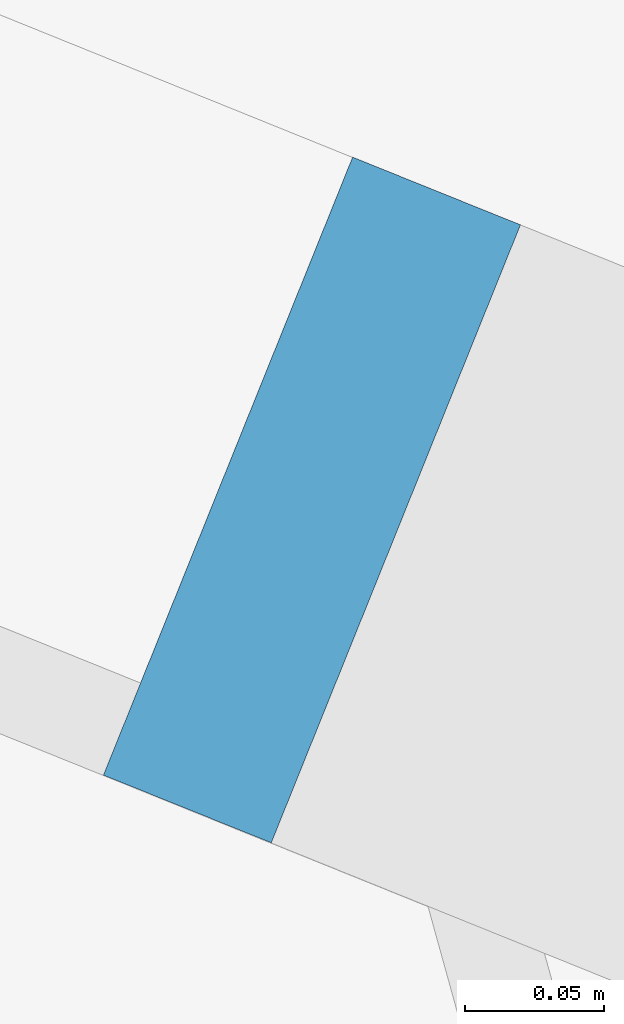
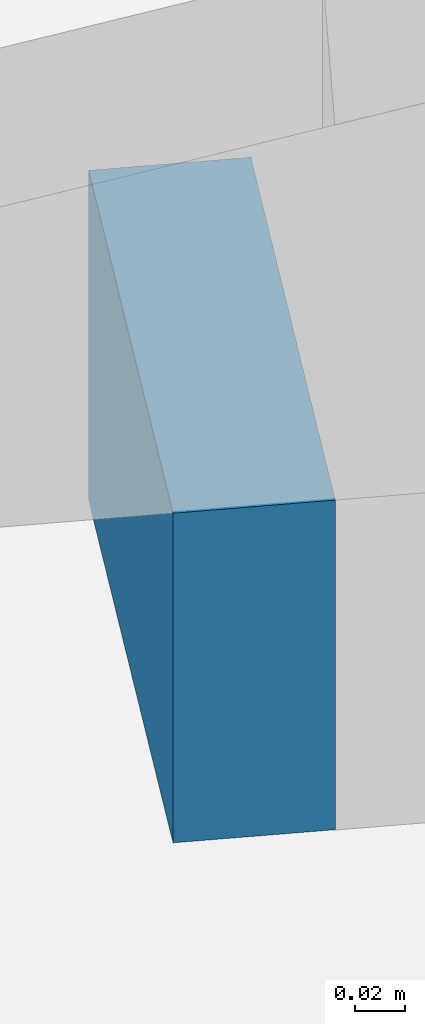
# One storey, part 10 of 26: 1 member, 1 element without a shape of its own.
"""IFC4 building model written with IfcOpenShell, lengths in metres."""

from ifc_helpers import new_model, si_unit, direction, frame, origin, origin_2d, place, context, subcontext, project, spatial, rectangle, extrude, material, material_profile, profile_set, type_object, element, aggregate, save


model = new_model("IFC4")

# Units and contexts
model_context = context("Model", 3, precision=1e-05, world=origin(), true_north=direction((0.0, 1.0)))
body_context = subcontext(model_context, "Body", "Model", "MODEL_VIEW")
ifc_project = project(units=[si_unit("LENGTHUNIT", "METRE"), si_unit("AREAUNIT", "SQUARE_METRE"), si_unit("VOLUMEUNIT", "CUBIC_METRE"), si_unit("PLANEANGLEUNIT", "RADIAN"), si_unit("MASSUNIT", "GRAM", prefix="KILO")], contexts=[model_context])

# Site, building, storey
site_placement = place(None, origin())
site = spatial("IfcSite", under=ifc_project, at=site_placement, CompositionType="ELEMENT")
building_placement = place(site_placement, origin())
building = spatial("IfcBuilding", under=site, at=building_placement, Name="Orlundy Tower", CompositionType="ELEMENT")
storey_placement = place(building_placement, frame((0.0, 0.0, 275.39990234375)))
storey = spatial("IfcBuildingStorey", under=building, at=storey_placement, Name="L73", CompositionType="ELEMENT", Elevation=275.39990234375)

# Curtain wall, member
ifc_material_1 = material(Name="Aluminium bronze anodised", Category="aluminium")
curtain_wall_type = type_object("IfcCurtainWallType", Name="CW6 wall", PredefinedType="NOTDEFINED", material=ifc_material_1)
curtain_wall_placement = place(storey_placement, origin())
curtain_wall = element("IfcCurtainWall", 1, at=curtain_wall_placement, inside=storey, type_object=curtain_wall_type, Name="CW6 run 013", PredefinedType="NOTDEFINED")
ifc_material_2 = material(Name="Aluminium bronze anodised", Category="aluminium")
ifc_material_profile = material_profile(ifc_material_2, rectangle(XDim=0.239990234375, YDim=0.159912109375, at=origin_2d()), Name="CW6 transom 240x160")
ifc_profile_set = profile_set([ifc_material_profile], Name="Aluminium bronze anodised")
member_type = type_object("IfcMemberType", Name="CW6 transom 240x160", PredefinedType="USERDEFINED", material=ifc_profile_set)
member_placement = place(storey_placement, frame((-13.47900390625, -27.0390625, 0.080078125), z_axis=(-0.927441472032, 0.373968335497, 0.0), x_axis=(-0.373968335497, -0.927441472032, 0.0)))
member = element("IfcMember", 2, at=member_placement, type_object=member_type, Name="CW6 transom", ObjectType="TRANSOM", PredefinedType="USERDEFINED", context=body_context, shape_type="SweptSolid", body=[
    extrude(rectangle(XDim=0.239990234375, YDim=0.159912109375, at=origin_2d()), origin(), (0.0, 0.0, 1.0), 0.065185546875),
])
aggregate(curtain_wall, [member])

save(model, "model.ifc")
